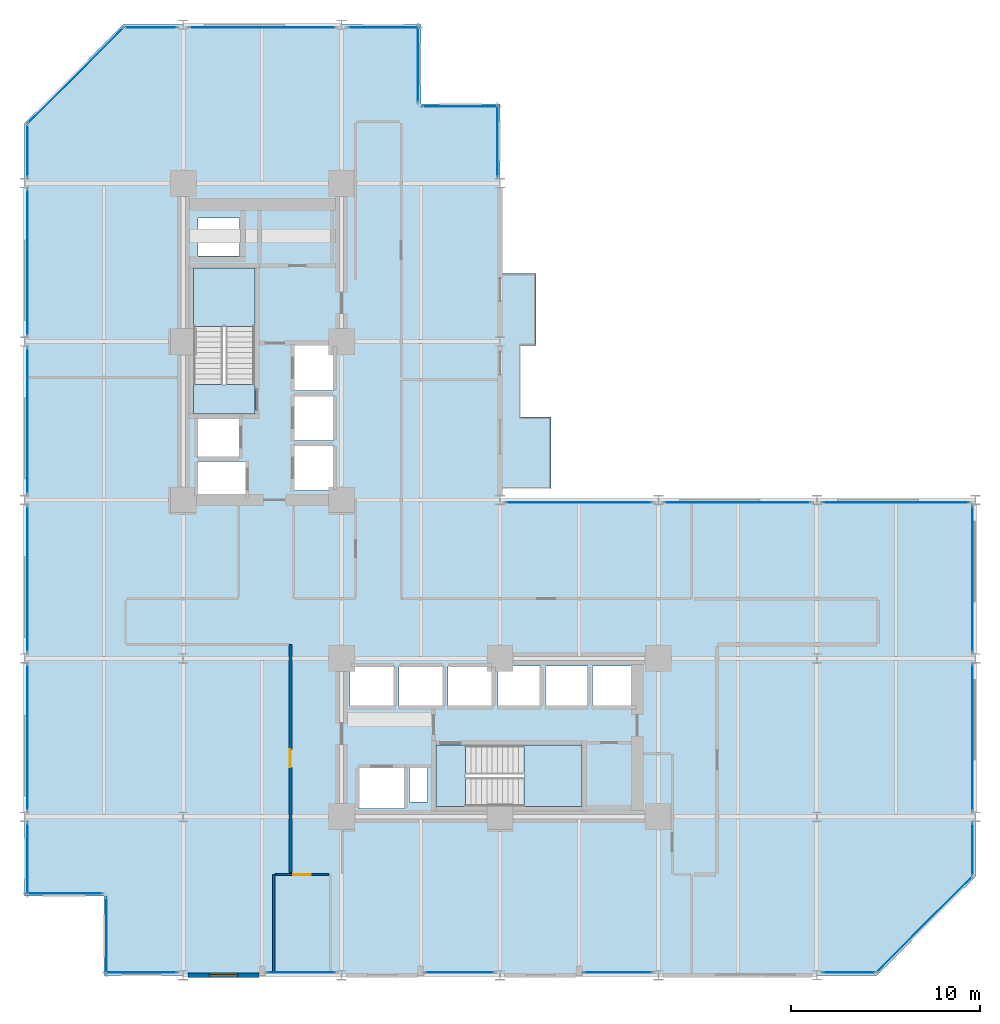
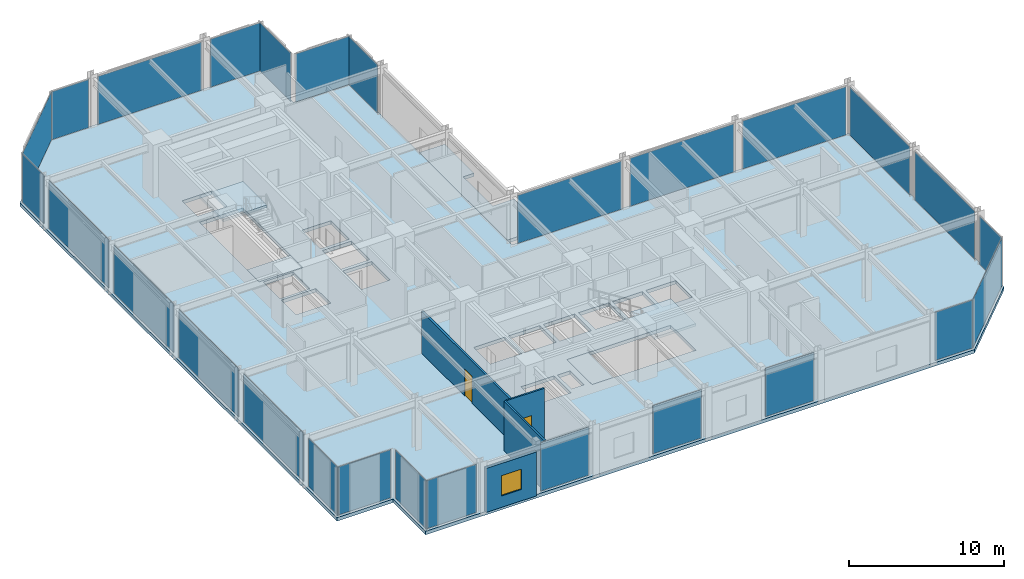
# One storey, part 18 of 24: 27 plates, 6 slabs, 4 walls, 2 doors, 1 window, 3 openings, 29 elements without a shape of their own.
"""IFC4 building model written with IfcOpenShell, lengths in metres."""

from ifc_helpers import new_model, si_unit, direction, frame, frame_2d, origin, origin_2d, place, context, subcontext, project, spatial, polyline, rectangle, outline, extrude, material, layer, layer_set, type_object, element, fill, aggregate, save


model = new_model("IFC4")

# Units and contexts
model_context = context("Model", 3, precision=1e-05, world=origin(), true_north=direction((0.0, 1.0)))
body_context = subcontext(model_context, "Body", "Model", "MODEL_VIEW")
ifc_project = project(units=[si_unit("LENGTHUNIT", "METRE"), si_unit("AREAUNIT", "SQUARE_METRE"), si_unit("VOLUMEUNIT", "CUBIC_METRE"), si_unit("PLANEANGLEUNIT", "RADIAN"), si_unit("MASSUNIT", "GRAM", prefix="KILO")], contexts=[model_context])

# Site, building, storey
site_placement = place(None, origin())
site = spatial("IfcSite", under=ifc_project, at=site_placement, CompositionType="ELEMENT")
building_placement = place(site_placement, origin())
building = spatial("IfcBuilding", under=site, at=building_placement, Name="Nerrivon Quay Data Exchange", CompositionType="ELEMENT")
storey_placement = place(building_placement, frame((0.0, 0.0, 33.199951171875)))
storey = spatial("IfcBuildingStorey", under=building, at=storey_placement, Name="L07", CompositionType="ELEMENT", Elevation=33.199951171875)

# Curtain wall, plate
ifc_material_1 = material(Name="Anodised aluminium 6063-T6", Category="aluminium")
ifc_layer_1 = layer(ifc_material_1, 0.219970703125)
ifc_layer_set_1 = layer_set([ifc_layer_1], Name="Anodised aluminium 6063-T6")
curtain_wall_type = type_object("IfcCurtainWallType", Name="CW-SYS-01", PredefinedType="NOTDEFINED", material=ifc_layer_set_1)
curtain_wall_1_placement = place(storey_placement, origin())
curtain_wall_1 = element("IfcCurtainWall", 1, at=curtain_wall_1_placement, inside=storey, type_object=curtain_wall_type, Name="L07 Unitised Curtain Wall 1", PredefinedType="NOTDEFINED")
ifc_material_2 = material(Name="Double-glazed low-E solar control glass", Category="glass")
ifc_layer_2 = layer(ifc_material_2, 0.028076171875)
ifc_layer_set_2 = layer_set([ifc_layer_2], Name="Double-glazed low-E solar control glass")
plate_type = type_object("IfcPlateType", Name="CWP-GLZ-28", PredefinedType="CURTAIN_PANEL", material=ifc_layer_set_2)
plate_1_placement = place(storey_placement, frame((47.700927734375, 2.698974609375, 0.065185546875), z_axis=(0.0, 0.0, 1.0), x_axis=(-0.707106781187, -0.707106781187, 0.0)))
plate_1 = element("IfcPlate", 2, at=plate_1_placement, type_object=plate_type, Name="CW01 panel 1.1", PredefinedType="CURTAIN_PANEL", context=body_context, shape_type="SweptSolid", body=[
    extrude(rectangle(XDim=7.203857421875, YDim=0.028076171875, at=origin_2d()), origin(), (0.0, 0.0, 1.0), 3.794921875),
])
aggregate(curtain_wall_1, [plate_1])

curtain_wall_2_placement = place(storey_placement, origin())
curtain_wall_2 = element("IfcCurtainWall", 3, at=curtain_wall_2_placement, inside=storey, type_object=curtain_wall_type, Name="L07 Unitised Curtain Wall 2", PredefinedType="NOTDEFINED")
plate_2_placement = place(storey_placement, frame((43.72509765625, 0.139892578125, 0.065185546875), z_axis=(0.0, 0.0, 1.0), x_axis=(-1.0, 0.0, 0.0)))
plate_2 = element("IfcPlate", 4, at=plate_2_placement, type_object=plate_type, Name="CW01 panel 1.1", PredefinedType="CURTAIN_PANEL", context=body_context, shape_type="SweptSolid", body=[
    extrude(rectangle(XDim=2.800048828125, YDim=0.028076171875, at=origin_2d()), origin(), (0.0, 0.0, 1.0), 3.794921875),
])
aggregate(curtain_wall_2, [plate_2])

curtain_wall_3_placement = place(storey_placement, origin())
curtain_wall_3 = element("IfcCurtainWall", 5, at=curtain_wall_3_placement, inside=storey, type_object=curtain_wall_type, Name="L07 Unitised Curtain Wall 4", PredefinedType="NOTDEFINED")
plate_3_placement = place(storey_placement, frame((31.46240234375, 0.139892578125, 0.065185546875), z_axis=(0.0, 0.0, 1.0), x_axis=(-1.0, 0.0, 0.0)))
plate_3 = element("IfcPlate", 6, at=plate_3_placement, type_object=plate_type, Name="CW01 panel 1.1", PredefinedType="CURTAIN_PANEL", context=body_context, shape_type="SweptSolid", body=[
    extrude(rectangle(XDim=3.625, YDim=0.028076171875, at=origin_2d()), origin(), (0.0, 0.0, 1.0), 3.794921875),
])
aggregate(curtain_wall_3, [plate_3])

curtain_wall_4_placement = place(storey_placement, origin())
curtain_wall_4 = element("IfcCurtainWall", 7, at=curtain_wall_4_placement, inside=storey, type_object=curtain_wall_type, Name="L07 Unitised Curtain Wall 6", PredefinedType="NOTDEFINED")
plate_4_placement = place(storey_placement, frame((23.0625, 0.139892578125, 0.065185546875), z_axis=(0.0, 0.0, 1.0), x_axis=(-1.0, 0.0, 0.0)))
plate_4 = element("IfcPlate", 8, at=plate_4_placement, type_object=plate_type, Name="CW01 panel 1.1", PredefinedType="CURTAIN_PANEL", context=body_context, shape_type="SweptSolid", body=[
    extrude(rectangle(XDim=3.625, YDim=0.028076171875, at=origin_2d()), origin(), (0.0, 0.0, 1.0), 3.794921875),
])
aggregate(curtain_wall_4, [plate_4])

curtain_wall_5_placement = place(storey_placement, origin())
curtain_wall_5 = element("IfcCurtainWall", 9, at=curtain_wall_5_placement, inside=storey, type_object=curtain_wall_type, Name="L07 Unitised Curtain Wall 8", PredefinedType="NOTDEFINED")
plate_5_placement = place(storey_placement, frame((14.66259765625, 0.139892578125, 0.065185546875), z_axis=(0.0, 0.0, 1.0), x_axis=(-1.0, 0.0, 0.0)))
plate_5 = element("IfcPlate", 10, at=plate_5_placement, type_object=plate_type, Name="CW01 panel 1.1", PredefinedType="CURTAIN_PANEL", context=body_context, shape_type="SweptSolid", body=[
    extrude(rectangle(XDim=3.625, YDim=0.028076171875, at=origin_2d()), origin(), (0.0, 0.0, 1.0), 3.794921875),
])
aggregate(curtain_wall_5, [plate_5])

curtain_wall_6_placement = place(storey_placement, origin())
curtain_wall_6 = element("IfcCurtainWall", 11, at=curtain_wall_6_placement, inside=storey, type_object=curtain_wall_type, Name="L07 Unitised Curtain Wall 10", PredefinedType="NOTDEFINED")
plate_6_placement = place(storey_placement, frame((6.175048828125, 0.139892578125, 0.065185546875), z_axis=(0.0, 0.0, 1.0), x_axis=(-1.0, 0.0, 0.0)))
plate_6 = element("IfcPlate", 12, at=plate_6_placement, type_object=plate_type, Name="CW01 panel 1.1", PredefinedType="CURTAIN_PANEL", context=body_context, shape_type="SweptSolid", body=[
    extrude(rectangle(XDim=3.800048828125, YDim=0.028076171875, at=origin_2d()), origin(), (0.0, 0.0, 1.0), 3.794921875),
])
aggregate(curtain_wall_6, [plate_6])

curtain_wall_7_placement = place(storey_placement, origin())
curtain_wall_7 = element("IfcCurtainWall", 13, at=curtain_wall_7_placement, inside=storey, type_object=curtain_wall_type, Name="L07 Unitised Curtain Wall 11", PredefinedType="NOTDEFINED")
plate_7_placement = place(storey_placement, frame((4.340087890625, 2.10009765625, 0.065185546875), z_axis=(0.0, 0.0, 1.0), x_axis=(0.0, 1.0, 0.0)))
plate_7 = element("IfcPlate", 14, at=plate_7_placement, type_object=plate_type, Name="CW01 panel 1.1", PredefinedType="CURTAIN_PANEL", context=body_context, shape_type="SweptSolid", body=[
    extrude(rectangle(XDim=4.050048828125, YDim=0.028076171875, at=origin_2d()), origin(), (0.0, 0.0, 1.0), 3.794921875),
])
aggregate(curtain_wall_7, [plate_7])

curtain_wall_8_placement = place(storey_placement, origin())
curtain_wall_8 = element("IfcCurtainWall", 15, at=curtain_wall_8_placement, inside=storey, type_object=curtain_wall_type, Name="L07 Unitised Curtain Wall 12", PredefinedType="NOTDEFINED")
plate_8_placement = place(storey_placement, frame((2.10009765625, 4.340087890625, 0.065185546875), z_axis=(0.0, 0.0, 1.0), x_axis=(-1.0, 0.0, 0.0)))
plate_8 = element("IfcPlate", 16, at=plate_8_placement, type_object=plate_type, Name="CW01 panel 1.1", PredefinedType="CURTAIN_PANEL", context=body_context, shape_type="SweptSolid", body=[
    extrude(rectangle(XDim=4.050048828125, YDim=0.028076171875, at=origin_2d()), origin(), (0.0, 0.0, 1.0), 3.794921875),
])
aggregate(curtain_wall_8, [plate_8])

curtain_wall_9_placement = place(storey_placement, origin())
curtain_wall_9 = element("IfcCurtainWall", 17, at=curtain_wall_9_placement, inside=storey, type_object=curtain_wall_type, Name="L07 Unitised Curtain Wall 13", PredefinedType="NOTDEFINED")
plate_9_placement = place(storey_placement, frame((0.139892578125, 6.175048828125, 0.065185546875), z_axis=(0.0, 0.0, 1.0), x_axis=(0.0, 1.0, 0.0)))
plate_9 = element("IfcPlate", 18, at=plate_9_placement, type_object=plate_type, Name="CW01 panel 1.1", PredefinedType="CURTAIN_PANEL", context=body_context, shape_type="SweptSolid", body=[
    extrude(rectangle(XDim=3.800048828125, YDim=0.028076171875, at=origin_2d()), origin(), (0.0, 0.0, 1.0), 3.794921875),
])
aggregate(curtain_wall_9, [plate_9])

curtain_wall_10_placement = place(storey_placement, origin())
curtain_wall_10 = element("IfcCurtainWall", 19, at=curtain_wall_10_placement, inside=storey, type_object=curtain_wall_type, Name="L07 Unitised Curtain Wall 14", PredefinedType="NOTDEFINED")
plate_10_placement = place(storey_placement, frame((0.139892578125, 12.60009765625, 0.065185546875), z_axis=(0.0, 0.0, 1.0), x_axis=(0.0, 1.0, 0.0)))
plate_10 = element("IfcPlate", 20, at=plate_10_placement, type_object=plate_type, Name="CW01 panel 1.1", PredefinedType="CURTAIN_PANEL", context=body_context, shape_type="SweptSolid", body=[
    extrude(rectangle(XDim=7.75, YDim=0.028076171875, at=origin_2d()), origin(), (0.0, 0.0, 1.0), 3.794921875),
])
aggregate(curtain_wall_10, [plate_10])

curtain_wall_11_placement = place(storey_placement, origin())
curtain_wall_11 = element("IfcCurtainWall", 21, at=curtain_wall_11_placement, inside=storey, type_object=curtain_wall_type, Name="L07 Unitised Curtain Wall 15", PredefinedType="NOTDEFINED")
plate_11_placement = place(storey_placement, frame((0.139892578125, 21.0, 0.065185546875), z_axis=(0.0, 0.0, 1.0), x_axis=(0.0, 1.0, 0.0)))
plate_11 = element("IfcPlate", 22, at=plate_11_placement, type_object=plate_type, Name="CW01 panel 1.1", PredefinedType="CURTAIN_PANEL", context=body_context, shape_type="SweptSolid", body=[
    extrude(rectangle(XDim=7.75, YDim=0.028076171875, at=origin_2d()), origin(), (0.0, 0.0, 1.0), 3.794921875),
])
aggregate(curtain_wall_11, [plate_11])

curtain_wall_12_placement = place(storey_placement, origin())
curtain_wall_12 = element("IfcCurtainWall", 23, at=curtain_wall_12_placement, inside=storey, type_object=curtain_wall_type, Name="L07 Unitised Curtain Wall 16", PredefinedType="NOTDEFINED")
plate_12_placement = place(storey_placement, frame((0.139892578125, 29.39990234375, 0.065185546875), z_axis=(0.0, 0.0, 1.0), x_axis=(0.0, 1.0, 0.0)))
plate_12 = element("IfcPlate", 24, at=plate_12_placement, type_object=plate_type, Name="CW01 panel 1.1", PredefinedType="CURTAIN_PANEL", context=body_context, shape_type="SweptSolid", body=[
    extrude(rectangle(XDim=7.75, YDim=0.028076171875, at=origin_2d()), origin(), (0.0, 0.0, 1.0), 3.794921875),
])
aggregate(curtain_wall_12, [plate_12])

curtain_wall_13_placement = place(storey_placement, origin())
curtain_wall_13 = element("IfcCurtainWall", 25, at=curtain_wall_13_placement, inside=storey, type_object=curtain_wall_type, Name="L07 Unitised Curtain Wall 17", PredefinedType="NOTDEFINED")
plate_13_placement = place(storey_placement, frame((0.139892578125, 37.800048828125, 0.065185546875), z_axis=(0.0, 0.0, 1.0), x_axis=(0.0, 1.0, 0.0)))
plate_13 = element("IfcPlate", 26, at=plate_13_placement, type_object=plate_type, Name="CW01 panel 1.1", PredefinedType="CURTAIN_PANEL", context=body_context, shape_type="SweptSolid", body=[
    extrude(rectangle(XDim=7.75, YDim=0.028076171875, at=origin_2d()), origin(), (0.0, 0.0, 1.0), 3.794921875),
])
aggregate(curtain_wall_13, [plate_13])

curtain_wall_14_placement = place(storey_placement, origin())
curtain_wall_14 = element("IfcCurtainWall", 27, at=curtain_wall_14_placement, inside=storey, type_object=curtain_wall_type, Name="L07 Unitised Curtain Wall 18", PredefinedType="NOTDEFINED")
plate_14_placement = place(storey_placement, frame((0.139892578125, 43.72509765625, 0.065185546875), z_axis=(0.0, 0.0, 1.0), x_axis=(0.0, 1.0, 0.0)))
plate_14 = element("IfcPlate", 28, at=plate_14_placement, type_object=plate_type, Name="CW01 panel 1.1", PredefinedType="CURTAIN_PANEL", context=body_context, shape_type="SweptSolid", body=[
    extrude(rectangle(XDim=2.800048828125, YDim=0.028076171875, at=origin_2d()), origin(), (0.0, 0.0, 1.0), 3.794921875),
])
aggregate(curtain_wall_14, [plate_14])

curtain_wall_15_placement = place(storey_placement, origin())
curtain_wall_15 = element("IfcCurtainWall", 29, at=curtain_wall_15_placement, inside=storey, type_object=curtain_wall_type, Name="L07 Unitised Curtain Wall 19", PredefinedType="NOTDEFINED")
plate_15_placement = place(storey_placement, frame((2.698974609375, 47.700927734375, 0.065185546875), z_axis=(0.0, 0.0, 1.0), x_axis=(0.707106781187, 0.707106781187, 0.0)))
plate_15 = element("IfcPlate", 30, at=plate_15_placement, type_object=plate_type, Name="CW01 panel 1.1", PredefinedType="CURTAIN_PANEL", context=body_context, shape_type="SweptSolid", body=[
    extrude(rectangle(XDim=7.203857421875, YDim=0.028076171875, at=origin_2d()), origin(), (0.0, 0.0, 1.0), 3.794921875),
])
aggregate(curtain_wall_15, [plate_15])

curtain_wall_16_placement = place(storey_placement, origin())
curtain_wall_16 = element("IfcCurtainWall", 31, at=curtain_wall_16_placement, inside=storey, type_object=curtain_wall_type, Name="L07 Unitised Curtain Wall 20", PredefinedType="NOTDEFINED")
plate_16_placement = place(storey_placement, frame((6.675048828125, 50.260009765625, 0.065185546875), z_axis=(0.0, 0.0, 1.0), x_axis=(1.0, 0.0, 0.0)))
plate_16 = element("IfcPlate", 32, at=plate_16_placement, type_object=plate_type, Name="CW01 panel 1.1", PredefinedType="CURTAIN_PANEL", context=body_context, shape_type="SweptSolid", body=[
    extrude(rectangle(XDim=2.800048828125, YDim=0.028076171875, at=origin_2d()), origin(), (0.0, 0.0, 1.0), 3.794921875),
])
aggregate(curtain_wall_16, [plate_16])

curtain_wall_17_placement = place(storey_placement, origin())
curtain_wall_17 = element("IfcCurtainWall", 33, at=curtain_wall_17_placement, inside=storey, type_object=curtain_wall_type, Name="L07 Unitised Curtain Wall 21", PredefinedType="NOTDEFINED")
plate_17_placement = place(storey_placement, frame((12.60009765625, 50.260009765625, 0.065185546875), z_axis=(0.0, 0.0, 1.0), x_axis=(1.0, 0.0, 0.0)))
plate_17 = element("IfcPlate", 34, at=plate_17_placement, type_object=plate_type, Name="CW01 panel 1.1", PredefinedType="CURTAIN_PANEL", context=body_context, shape_type="SweptSolid", body=[
    extrude(rectangle(XDim=7.75, YDim=0.028076171875, at=origin_2d()), origin(), (0.0, 0.0, 1.0), 3.794921875),
])
aggregate(curtain_wall_17, [plate_17])

curtain_wall_18_placement = place(storey_placement, origin())
curtain_wall_18 = element("IfcCurtainWall", 35, at=curtain_wall_18_placement, inside=storey, type_object=curtain_wall_type, Name="L07 Unitised Curtain Wall 22", PredefinedType="NOTDEFINED")
plate_18_placement = place(storey_placement, frame((19.02490234375, 50.260009765625, 0.065185546875), z_axis=(0.0, 0.0, 1.0), x_axis=(1.0, 0.0, 0.0)))
plate_18 = element("IfcPlate", 36, at=plate_18_placement, type_object=plate_type, Name="CW01 panel 1.1", PredefinedType="CURTAIN_PANEL", context=body_context, shape_type="SweptSolid", body=[
    extrude(rectangle(XDim=3.800048828125, YDim=0.028076171875, at=origin_2d()), origin(), (0.0, 0.0, 1.0), 3.794921875),
])
aggregate(curtain_wall_18, [plate_18])

curtain_wall_19_placement = place(storey_placement, origin())
curtain_wall_19 = element("IfcCurtainWall", 37, at=curtain_wall_19_placement, inside=storey, type_object=curtain_wall_type, Name="L07 Unitised Curtain Wall 23", PredefinedType="NOTDEFINED")
plate_19_placement = place(storey_placement, frame((20.860107421875, 48.300048828125, 0.065185546875), z_axis=(0.0, 0.0, 1.0), x_axis=(0.0, -1.0, 0.0)))
plate_19 = element("IfcPlate", 38, at=plate_19_placement, type_object=plate_type, Name="CW01 panel 1.1", PredefinedType="CURTAIN_PANEL", context=body_context, shape_type="SweptSolid", body=[
    extrude(rectangle(XDim=4.050048828125, YDim=0.028076171875, at=origin_2d()), origin(), (0.0, 0.0, 1.0), 3.794921875),
])
aggregate(curtain_wall_19, [plate_19])

curtain_wall_20_placement = place(storey_placement, origin())
curtain_wall_20 = element("IfcCurtainWall", 39, at=curtain_wall_20_placement, inside=storey, type_object=curtain_wall_type, Name="L07 Unitised Curtain Wall 24", PredefinedType="NOTDEFINED")
plate_20_placement = place(storey_placement, frame((23.10009765625, 46.06005859375, 0.065185546875), z_axis=(0.0, 0.0, 1.0), x_axis=(1.0, 0.0, 0.0)))
plate_20 = element("IfcPlate", 40, at=plate_20_placement, type_object=plate_type, Name="CW01 panel 1.1", PredefinedType="CURTAIN_PANEL", context=body_context, shape_type="SweptSolid", body=[
    extrude(rectangle(XDim=4.050048828125, YDim=0.028076171875, at=origin_2d()), origin(), (0.0, 0.0, 1.0), 3.794921875),
])
aggregate(curtain_wall_20, [plate_20])

curtain_wall_21_placement = place(storey_placement, origin())
curtain_wall_21 = element("IfcCurtainWall", 41, at=curtain_wall_21_placement, inside=storey, type_object=curtain_wall_type, Name="L07 Unitised Curtain Wall 25", PredefinedType="NOTDEFINED")
plate_21_placement = place(storey_placement, frame((25.06005859375, 44.22509765625, 0.065185546875), z_axis=(0.0, 0.0, 1.0), x_axis=(0.0, -1.0, 0.0)))
plate_21 = element("IfcPlate", 42, at=plate_21_placement, type_object=plate_type, Name="CW01 panel 1.1", PredefinedType="CURTAIN_PANEL", context=body_context, shape_type="SweptSolid", body=[
    extrude(rectangle(XDim=3.800048828125, YDim=0.028076171875, at=origin_2d()), origin(), (0.0, 0.0, 1.0), 3.794921875),
])
aggregate(curtain_wall_21, [plate_21])

curtain_wall_22_placement = place(storey_placement, origin())
curtain_wall_22 = element("IfcCurtainWall", 43, at=curtain_wall_22_placement, inside=storey, type_object=curtain_wall_type, Name="L07 Unitised Curtain Wall 28", PredefinedType="NOTDEFINED")
plate_22_placement = place(storey_placement, frame((29.39990234375, 25.06005859375, 0.065185546875), z_axis=(0.0, 0.0, 1.0), x_axis=(1.0, 0.0, 0.0)))
plate_22 = element("IfcPlate", 44, at=plate_22_placement, type_object=plate_type, Name="CW01 panel 1.1", PredefinedType="CURTAIN_PANEL", context=body_context, shape_type="SweptSolid", body=[
    extrude(rectangle(XDim=7.75, YDim=0.028076171875, at=origin_2d()), origin(), (0.0, 0.0, 1.0), 3.794921875),
])
aggregate(curtain_wall_22, [plate_22])

curtain_wall_23_placement = place(storey_placement, origin())
curtain_wall_23 = element("IfcCurtainWall", 45, at=curtain_wall_23_placement, inside=storey, type_object=curtain_wall_type, Name="L07 Unitised Curtain Wall 29", PredefinedType="NOTDEFINED")
plate_23_placement = place(storey_placement, frame((37.800048828125, 25.06005859375, 0.065185546875), z_axis=(0.0, 0.0, 1.0), x_axis=(1.0, 0.0, 0.0)))
plate_23 = element("IfcPlate", 46, at=plate_23_placement, type_object=plate_type, Name="CW01 panel 1.1", PredefinedType="CURTAIN_PANEL", context=body_context, shape_type="SweptSolid", body=[
    extrude(rectangle(XDim=7.75, YDim=0.028076171875, at=origin_2d()), origin(), (0.0, 0.0, 1.0), 3.794921875),
])
aggregate(curtain_wall_23, [plate_23])

curtain_wall_24_placement = place(storey_placement, origin())
curtain_wall_24 = element("IfcCurtainWall", 47, at=curtain_wall_24_placement, inside=storey, type_object=curtain_wall_type, Name="L07 Unitised Curtain Wall 30", PredefinedType="NOTDEFINED")
plate_24_placement = place(storey_placement, frame((46.199951171875, 25.06005859375, 0.065185546875), z_axis=(0.0, 0.0, 1.0), x_axis=(1.0, 0.0, 0.0)))
plate_24 = element("IfcPlate", 48, at=plate_24_placement, type_object=plate_type, Name="CW01 panel 1.1", PredefinedType="CURTAIN_PANEL", context=body_context, shape_type="SweptSolid", body=[
    extrude(rectangle(XDim=7.75, YDim=0.028076171875, at=origin_2d()), origin(), (0.0, 0.0, 1.0), 3.794921875),
])
aggregate(curtain_wall_24, [plate_24])

curtain_wall_25_placement = place(storey_placement, origin())
curtain_wall_25 = element("IfcCurtainWall", 49, at=curtain_wall_25_placement, inside=storey, type_object=curtain_wall_type, Name="L07 Unitised Curtain Wall 31", PredefinedType="NOTDEFINED")
plate_25_placement = place(storey_placement, frame((50.260009765625, 21.0, 0.065185546875), z_axis=(0.0, 0.0, 1.0), x_axis=(0.0, -1.0, 0.0)))
plate_25 = element("IfcPlate", 50, at=plate_25_placement, type_object=plate_type, Name="CW01 panel 1.1", PredefinedType="CURTAIN_PANEL", context=body_context, shape_type="SweptSolid", body=[
    extrude(rectangle(XDim=7.75, YDim=0.028076171875, at=origin_2d()), origin(), (0.0, 0.0, 1.0), 3.794921875),
])
aggregate(curtain_wall_25, [plate_25])

curtain_wall_26_placement = place(storey_placement, origin())
curtain_wall_26 = element("IfcCurtainWall", 51, at=curtain_wall_26_placement, inside=storey, type_object=curtain_wall_type, Name="L07 Unitised Curtain Wall 32", PredefinedType="NOTDEFINED")
plate_26_placement = place(storey_placement, frame((50.260009765625, 12.60009765625, 0.065185546875), z_axis=(0.0, 0.0, 1.0), x_axis=(0.0, -1.0, 0.0)))
plate_26 = element("IfcPlate", 52, at=plate_26_placement, type_object=plate_type, Name="CW01 panel 1.1", PredefinedType="CURTAIN_PANEL", context=body_context, shape_type="SweptSolid", body=[
    extrude(rectangle(XDim=7.75, YDim=0.028076171875, at=origin_2d()), origin(), (0.0, 0.0, 1.0), 3.794921875),
])
aggregate(curtain_wall_26, [plate_26])

curtain_wall_27_placement = place(storey_placement, origin())
curtain_wall_27 = element("IfcCurtainWall", 53, at=curtain_wall_27_placement, inside=storey, type_object=curtain_wall_type, Name="L07 Unitised Curtain Wall 33", PredefinedType="NOTDEFINED")
plate_27_placement = place(storey_placement, frame((50.260009765625, 6.675048828125, 0.065185546875), z_axis=(0.0, 0.0, 1.0), x_axis=(0.0, -1.0, 0.0)))
plate_27 = element("IfcPlate", 54, at=plate_27_placement, type_object=plate_type, Name="CW01 panel 1.1", PredefinedType="CURTAIN_PANEL", context=body_context, shape_type="SweptSolid", body=[
    extrude(rectangle(XDim=2.800048828125, YDim=0.028076171875, at=origin_2d()), origin(), (0.0, 0.0, 1.0), 3.794921875),
])
aggregate(curtain_wall_27, [plate_27])

# Slab
ifc_material_3 = material(Name="Precast white architectural concrete N50 (50 MPa)", Category="concrete")
ifc_layer_3 = layer(ifc_material_3, 0.25)
ifc_layer_set_3 = layer_set([ifc_layer_3], Name="Precast white architectural concrete N50 (50 MPa)")
slab_type_1 = type_object("IfcSlabType", Name="SLB-BAL-250", PredefinedType="FLOOR", material=ifc_layer_set_3)
slab_1_placement = place(storey_placement, frame((0.0, 0.0, -0.25)))
element("IfcSlab", 55, at=slab_1_placement, inside=storey, type_object=slab_type_1, Name="L07 Waterfront Subtropical Verandah", PredefinedType="FLOOR", context=body_context, shape_type="SweptSolid", body=[
    extrude(outline(polyline([(26.300048828125, 29.60009765625), (26.300048828125, 33.39990234375), (27.10009765625, 33.39990234375), (27.10009765625, 37.199951171875), (25.199951171875, 37.199951171875), (25.199951171875, 33.39990234375), (25.199951171875, 29.60009765625), (25.199951171875, 25.800048828125), (27.89990234375, 25.800048828125), (27.89990234375, 29.60009765625), (26.300048828125, 29.60009765625)])), origin(), (0.0, 0.0, 1.0), 0.25),
])

# Stair, slab
ifc_material_4 = material(Name="Concrete N50 (50 MPa)", Category="concrete")
stair_type = type_object("IfcStairType", Name="STAIR-DOG-42", PredefinedType="HALF_TURN_STAIR", material=ifc_material_4)
stair_1_placement = place(storey_placement, origin())
stair_1 = element("IfcStair", 56, at=stair_1_placement, inside=storey, type_object=stair_type, Name="L07 West Core Fire Stair ST01", PredefinedType="HALF_TURN_STAIR")
ifc_layer_4 = layer(ifc_material_4, 0.199951171875)
ifc_layer_set_4 = layer_set([ifc_layer_4], Name="Concrete N50 (50 MPa)")
slab_type_2 = type_object("IfcSlabType", Name="SLB-LAND-200", PredefinedType="LANDING", material=ifc_layer_set_4)
slab_2_placement = place(storey_placement, frame((0.0, 0.0, 1.900146484375)))
slab_2 = element("IfcSlab", 57, at=slab_2_placement, type_object=slab_type_2, Name="ST01 landing 1", PredefinedType="LANDING", context=body_context, shape_type="SweptSolid", body=[
    extrude(outline(polyline([(12.199951171875, 34.409912109375), (12.199951171875, 37.5), (8.949951171875, 37.5), (8.949951171875, 34.409912109375), (12.199951171875, 34.409912109375)])), origin(), (0.0, 0.0, 1.0), 0.199951171875),
])
aggregate(stair_1, [slab_2])

# Slab
slab_3_placement = place(storey_placement, frame((0.0, 0.0, -0.199951171875)))
element("IfcSlab", 58, at=slab_3_placement, inside=storey, type_object=slab_type_2, Name="L07 ST01 floor landing", PredefinedType="LANDING", context=body_context, shape_type="SweptSolid", body=[
    extrude(outline(polyline([(12.199951171875, 29.75), (12.199951171875, 31.330078125), (8.949951171875, 31.330078125), (8.949951171875, 29.75), (12.199951171875, 29.75)])), origin(), (0.0, 0.0, 1.0), 0.199951171875),
])

# Stair, slab
stair_2_placement = place(storey_placement, origin())
stair_2 = element("IfcStair", 59, at=stair_2_placement, inside=storey, type_object=stair_type, Name="L07 East Core Fire Stair ST02", PredefinedType="HALF_TURN_STAIR")
slab_4_placement = place(storey_placement, frame((0.0, 0.0, 1.900146484375)))
slab_4 = element("IfcSlab", 60, at=slab_4_placement, type_object=slab_type_2, Name="ST02 landing 1", PredefinedType="LANDING", context=body_context, shape_type="SweptSolid", body=[
    extrude(outline(polyline([(26.4599609375, 8.949951171875), (29.550048828125, 8.949951171875), (29.550048828125, 12.199951171875), (26.4599609375, 12.199951171875), (26.4599609375, 8.949951171875)])), origin(), (0.0, 0.0, 1.0), 0.199951171875),
])
aggregate(stair_2, [slab_4])

# Slabs
slab_5_placement = place(storey_placement, frame((0.0, 0.0, -0.199951171875)))
element("IfcSlab", 61, at=slab_5_placement, inside=storey, type_object=slab_type_2, Name="L07 ST02 floor landing", PredefinedType="LANDING", context=body_context, shape_type="SweptSolid", body=[
    extrude(outline(polyline([(21.800048828125, 8.949951171875), (23.3798828125, 8.949951171875), (23.3798828125, 12.199951171875), (21.800048828125, 12.199951171875), (21.800048828125, 8.949951171875)])), origin(), (0.0, 0.0, 1.0), 0.199951171875),
])
ifc_layer_5 = layer(ifc_material_4, 0.27490234375)
ifc_layer_set_5 = layer_set([ifc_layer_5], Name="Concrete N50 (50 MPa)")
slab_type_3 = type_object("IfcSlabType", Name="SLB-TOW-275", PredefinedType="FLOOR", material=ifc_layer_set_5)
slab_6_placement = place(storey_placement, frame((0.0, 0.0, -0.27490234375)))
element("IfcSlab", 62, at=slab_6_placement, inside=storey, type_object=slab_type_3, Name="L07 Primary Structural Slab", PredefinedType="FLOOR", context=body_context, shape_type="SweptSolid", body=[
    extrude(outline(polyline([(50.39990234375, 25.199951171875), (25.199951171875, 25.199951171875), (25.199951171875, 46.199951171875), (21.0, 46.199951171875), (21.0, 50.39990234375), (5.199951171875, 50.39990234375), (0.0, 45.199951171875), (0.0, 4.199951171875), (4.199951171875, 4.199951171875), (4.199951171875, 0.0), (45.199951171875, 0.0), (50.39990234375, 5.199951171875), (50.39990234375, 25.199951171875)]), holes=[polyline([(8.949951171875, 29.75), (8.949951171875, 37.5), (12.199951171875, 37.5), (12.199951171875, 29.75), (8.949951171875, 29.75)]), polyline([(21.800048828125, 12.199951171875), (29.550048828125, 12.199951171875), (29.550048828125, 8.949951171875), (21.800048828125, 8.949951171875), (21.800048828125, 12.199951171875)]), polyline([(30.10009765625, 16.39990234375), (32.35009765625, 16.39990234375), (32.35009765625, 14.25), (30.10009765625, 14.25), (30.10009765625, 16.39990234375)]), polyline([(27.60009765625, 16.39990234375), (29.85009765625, 16.39990234375), (29.85009765625, 14.25), (27.60009765625, 14.25), (27.60009765625, 16.39990234375)]), polyline([(25.10009765625, 16.39990234375), (27.35009765625, 16.39990234375), (27.35009765625, 14.25), (25.10009765625, 14.25), (25.10009765625, 16.39990234375)]), polyline([(22.449951171875, 16.39990234375), (24.800048828125, 16.39990234375), (24.800048828125, 14.25), (22.449951171875, 14.25), (22.449951171875, 16.39990234375)]), polyline([(19.85009765625, 16.39990234375), (22.199951171875, 16.39990234375), (22.199951171875, 14.25), (19.85009765625, 14.25), (19.85009765625, 16.39990234375)]), polyline([(20.39990234375, 11.0), (21.35009765625, 11.0), (21.35009765625, 9.199951171875), (20.39990234375, 9.199951171875), (20.39990234375, 11.0)]), polyline([(17.699951171875, 8.830078125), (17.699951171875, 11.030029296875), (20.14990234375, 11.030029296875), (20.14990234375, 8.830078125), (17.699951171875, 8.830078125)]), polyline([(17.25, 14.25), (17.25, 16.39990234375), (19.60009765625, 16.39990234375), (19.60009765625, 14.25), (17.25, 14.25)]), polyline([(14.25, 28.10009765625), (16.39990234375, 28.10009765625), (16.39990234375, 25.699951171875), (14.25, 25.699951171875), (14.25, 28.10009765625)]), polyline([(14.25, 30.75), (16.39990234375, 30.75), (16.39990234375, 28.35009765625), (14.25, 28.35009765625), (14.25, 30.75)]), polyline([(14.25, 33.39990234375), (16.39990234375, 33.39990234375), (16.39990234375, 31.0), (14.25, 31.0), (14.25, 33.39990234375)]), polyline([(9.14990234375, 27.25), (11.75, 27.25), (11.75, 25.35009765625), (9.14990234375, 25.35009765625), (9.14990234375, 27.25)]), polyline([(9.14990234375, 29.60009765625), (11.39990234375, 29.60009765625), (11.39990234375, 27.449951171875), (9.14990234375, 27.449951171875), (9.14990234375, 29.60009765625)]), polyline([(9.199951171875, 40.14990234375), (11.39990234375, 40.14990234375), (11.39990234375, 38.14990234375), (9.199951171875, 38.14990234375), (9.199951171875, 40.14990234375)])]), origin(), (0.0, 0.0, 1.0), 0.27490234375),
])

# Wall, opening, window
ifc_material_5 = material(Name="Architectural terracotta precast concrete N50 (50 MPa)", Category="masonry")
ifc_layer_6 = layer(ifc_material_5, 0.239990234375)
ifc_layer_set_6 = layer_set([ifc_layer_6], Name="Architectural terracotta precast concrete N50 (50 MPa)")
wall_type_1 = type_object("IfcWallType", Name="EW-PREC-240", PredefinedType="STANDARD", material=ifc_layer_set_6)
wall_1_placement = place(storey_placement, frame((12.425048828125, 0.0, 0.0), z_axis=(0.0, 0.0, 1.0), x_axis=(-1.0, 0.0, 0.0)))
wall_1 = element("IfcWall", 63, at=wall_1_placement, inside=storey, type_object=wall_type_1, Name="L07 Podium Precast Spandrel Wall 9", PredefinedType="STANDARD", context=body_context, shape_type="SweptSolid", body=[
    extrude(rectangle(XDim=3.775146484375, YDim=0.239990234375, at=frame_2d((1.8876953125, 0.0))), origin(), (0.0, 0.0, 1.0), 3.470947265625),
])
opening_1_placement = place(wall_1_placement, frame((1.137451171875, 0.0, 0.89990234375)))
opening_1 = element("IfcOpeningElement", 64, at=opening_1_placement, cuts=wall_1, Name="Opening WN4", PredefinedType="OPENING", context=body_context, shape_type="SweptSolid", body=[
    extrude(rectangle(XDim=1.5, YDim=1.60009765625, at=frame_2d((0.75, 0.800048828125))), frame((0.0, 0.1298828125, 0.0), z_axis=(0.0, -1.0, 0.0), x_axis=(1.0, 0.0, 0.0)), (0.0, 0.0, 1.0), 0.260009765625),
])
window_type = type_object("IfcWindowType", Name="WIN-W4-1500x1600", PartitioningType="SINGLE_PANEL", PredefinedType="WINDOW", material=ifc_material_2)
window_placement = place(opening_1_placement, origin())
window = element("IfcWindow", 65, at=window_placement, inside=storey, type_object=window_type, Name="L07 Solar Facade Window 9", OverallHeight=1.60009765625, OverallWidth=1.5, PartitioningType="SINGLE_PANEL", PredefinedType="WINDOW", context=body_context, shape_type="SweptSolid", body=[
    extrude(rectangle(XDim=1.5, YDim=1.60009765625, at=frame_2d((0.75, 0.800048828125))), frame((0.0, 0.030029296875, 0.0), z_axis=(0.0, -1.0, 0.0), x_axis=(1.0, 0.0, 0.0)), (0.0, 0.0, 1.0), 0.06005859375),
])
fill(opening_1, window)

# Wall, opening, door
ifc_material_6 = material(Name="Gypsum plasterboard on cold-formed framing", Category="gypsum")
ifc_layer_7 = layer(ifc_material_6, 0.1201171875)
ifc_layer_set_7 = layer_set([ifc_layer_7], Name="Gypsum plasterboard on cold-formed framing")
wall_type_2 = type_object("IfcWallType", Name="WALL-PT-120", PredefinedType="PARTITIONING", material=ifc_layer_set_7)
wall_2_placement = place(storey_placement, frame((16.12841796875, 5.340087890625, 0.0), z_axis=(0.0, 0.0, 1.0), x_axis=(-1.0, 0.0, 0.0)))
wall_2 = element("IfcWall", 66, at=wall_2_placement, inside=storey, type_object=wall_type_2, Name="L07 Partition Accessible Toilet", PredefinedType="PARTITIONING", context=body_context, shape_type="SweptSolid", body=[
    extrude(rectangle(XDim=2.85693359375, YDim=0.1201171875, at=frame_2d((1.428466796875, 0.0))), origin(), (0.0, 0.0, 1.0), 3.925048828125),
])
opening_2_placement = place(wall_2_placement, frame((0.968505859375, 0.0, 0.0)))
opening_2 = element("IfcOpeningElement", 67, at=opening_2_placement, cuts=wall_2, Name="Opening D-WC", PredefinedType="OPENING", context=body_context, shape_type="SweptSolid", body=[
    extrude(rectangle(XDim=0.919921875, YDim=2.10009765625, at=frame_2d((0.4599609375, 1.050048828125))), frame((0.0, 0.070068359375, 0.0), z_axis=(0.0, -1.0, 0.0), x_axis=(1.0, 0.0, 0.0)), (0.0, 0.0, 1.0), 0.14013671875),
])
ifc_material_7 = material(Name="Engineered hardwood timber", Category="wood")
door_type_1 = type_object("IfcDoorType", Name="DR-WC-920", OperationType="NOTDEFINED", PredefinedType="DOOR", material=ifc_material_7)
door_1_placement = place(opening_2_placement, origin())
door_1 = element("IfcDoor", 68, at=door_1_placement, inside=storey, type_object=door_type_1, Name="L07 Door Accessible Toilet", OperationType="SINGLE_SWING_RIGHT", OverallHeight=2.10009765625, OverallWidth=0.919921875, PredefinedType="DOOR", context=body_context, shape_type="SweptSolid", body=[
    extrude(rectangle(XDim=0.919921875, YDim=2.10009765625, at=frame_2d((0.4599609375, 1.050048828125))), frame((0.0, 0.02490234375, 0.0), z_axis=(0.0, -1.0, 0.0), x_axis=(1.0, 0.0, 0.0)), (0.0, 0.0, 1.0), 0.050048828125),
])
fill(opening_2, door_1)

# Wall
ifc_layer_8 = layer(ifc_material_6, 0.135009765625)
ifc_layer_set_8 = layer_set([ifc_layer_8], Name="Gypsum plasterboard on cold-formed framing")
wall_type_3 = type_object("IfcWallType", Name="WALL-PT-135", PredefinedType="PARTITIONING", material=ifc_layer_set_8)
wall_3_placement = place(storey_placement, frame((13.199951171875, 5.340087890625, 0.0), z_axis=(0.0, 0.0, 1.0), x_axis=(0.0, -1.0, 0.0)))
element("IfcWall", 69, at=wall_3_placement, inside=storey, type_object=wall_type_3, Name="L07 Partition Accessible Toilet", PredefinedType="PARTITIONING", context=body_context, shape_type="SweptSolid", body=[
    extrude(rectangle(XDim=5.171142578125, YDim=0.135009765625, at=frame_2d((2.58544921875, 0.0))), origin(), (0.0, 0.0, 1.0), 3.925048828125),
])

# Wall, opening, door
ifc_layer_9 = layer(ifc_material_6, 0.14990234375)
ifc_layer_set_9 = layer_set([ifc_layer_9], Name="Gypsum plasterboard on cold-formed framing")
wall_type_4 = type_object("IfcWallType", Name="WALL-PT-150", PredefinedType="PARTITIONING", material=ifc_layer_set_9)
wall_4_placement = place(storey_placement, frame((14.090087890625, 5.4599609375, 0.0), z_axis=(0.0, 0.0, 1.0), x_axis=(0.0, 1.0, 0.0)))
wall_4 = element("IfcWall", 70, at=wall_4_placement, inside=storey, type_object=wall_type_4, Name="L07 Partition Optical Engineering Studios Workspace", PredefinedType="PARTITIONING", context=body_context, shape_type="SweptSolid", body=[
    extrude(rectangle(XDim=12.080078125, YDim=0.14990234375, at=frame_2d((6.0400390625, 0.0))), origin(), (0.0, 0.0, 1.0), 3.31298828125),
])
opening_3_placement = place(wall_4_placement, frame((5.56494140625, 0.0, 0.0)))
opening_3 = element("IfcOpeningElement", 71, at=opening_3_placement, cuts=wall_4, Name="Opening D-01", PredefinedType="OPENING", context=body_context, shape_type="SweptSolid", body=[
    extrude(rectangle(XDim=0.949951171875, YDim=2.14990234375, at=frame_2d((0.47509765625, 1.074951171875))), frame((0.0, 0.0849609375, 0.0), z_axis=(0.0, -1.0, 0.0), x_axis=(1.0, 0.0, 0.0)), (0.0, 0.0, 1.0), 0.169921875),
])
door_type_2 = type_object("IfcDoorType", Name="DR-INT-950", OperationType="NOTDEFINED", PredefinedType="DOOR", material=ifc_material_7)
door_2_placement = place(opening_3_placement, origin())
door_2 = element("IfcDoor", 72, at=door_2_placement, inside=storey, type_object=door_type_2, Name="L07 Door Optical Engineering Studios Workspace", OperationType="SINGLE_SWING_RIGHT", OverallHeight=2.14990234375, OverallWidth=0.949951171875, PredefinedType="DOOR", context=body_context, shape_type="SweptSolid", body=[
    extrude(rectangle(XDim=0.949951171875, YDim=2.14990234375, at=frame_2d((0.47509765625, 1.074951171875))), frame((0.0, 0.02490234375, 0.0), z_axis=(0.0, -1.0, 0.0), x_axis=(1.0, 0.0, 0.0)), (0.0, 0.0, 1.0), 0.050048828125),
])
fill(opening_3, door_2)

save(model, "model.ifc")
